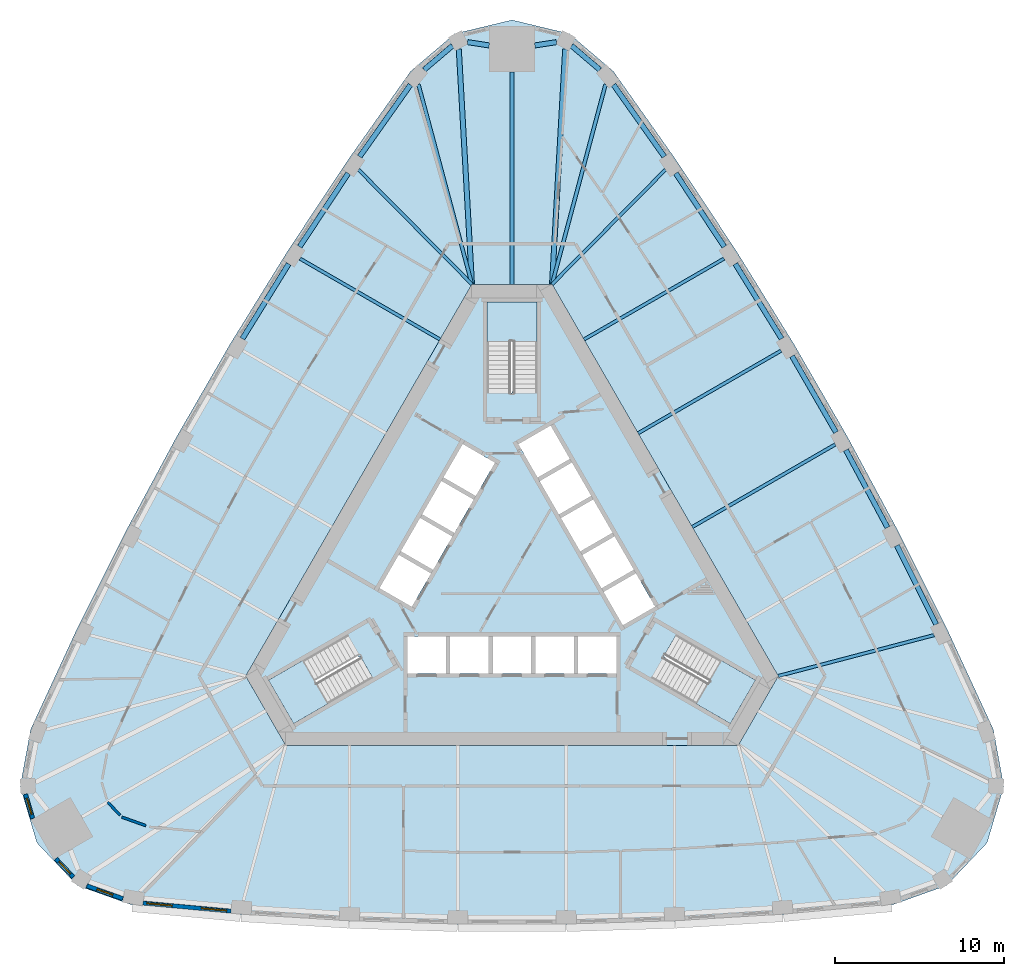
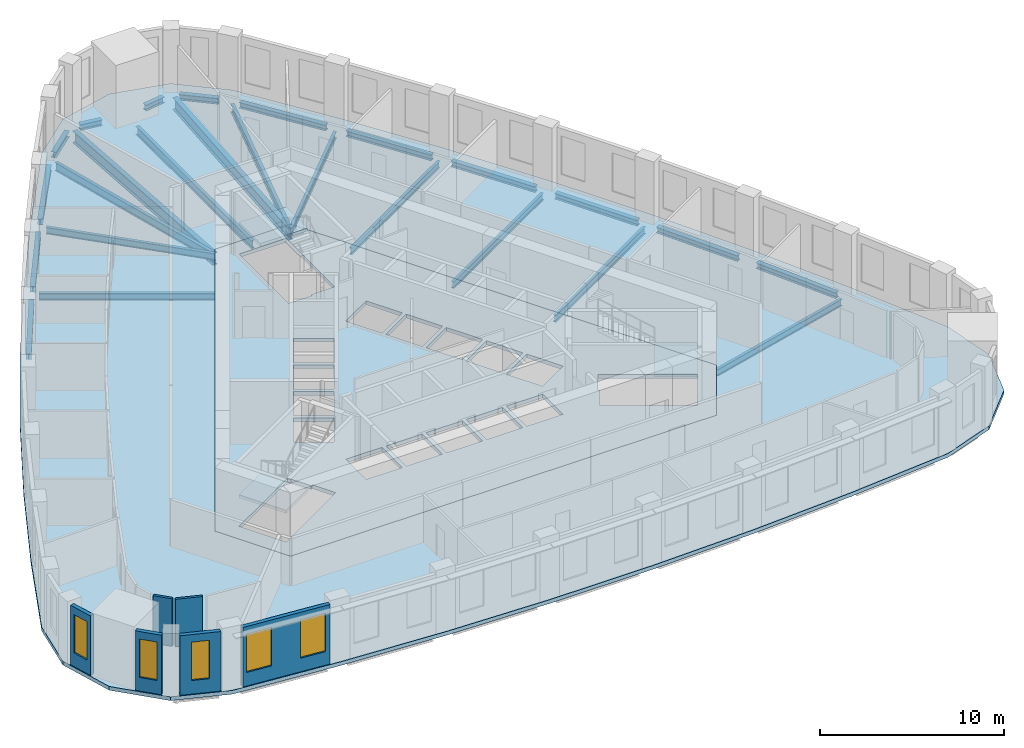
# One storey, part 2 of 11: 25 beams, 6 walls, 5 slabs, 5 windows, 5 openings, 3 elements without a shape of their own.
"""IFC4 building model written with IfcOpenShell, lengths in metres."""

from ifc_helpers import new_model, si_unit, direction, frame, frame_2d, origin, origin_2d, place, context, subcontext, project, spatial, polyline, rectangle, i_section, outline, extrude, material, layer, layer_set, material_profile, profile_set, type_object, element, fill, aggregate, save


model = new_model("IFC4")

# Units and contexts
model_context = context("Model", 3, precision=1e-05, world=origin(), true_north=direction((0.0, 1.0)))
body_context = subcontext(model_context, "Body", "Model", "MODEL_VIEW")
ifc_project = project(units=[si_unit("LENGTHUNIT", "METRE"), si_unit("AREAUNIT", "SQUARE_METRE"), si_unit("VOLUMEUNIT", "CUBIC_METRE"), si_unit("PLANEANGLEUNIT", "RADIAN"), si_unit("MASSUNIT", "GRAM", prefix="KILO")], contexts=[model_context])

# Site, building, storey
site_placement = place(None, origin())
site = spatial("IfcSite", under=ifc_project, at=site_placement, CompositionType="ELEMENT")
building_placement = place(site_placement, origin())
building = spatial("IfcBuilding", under=site, at=building_placement, Name="Mestral Congress Tower", CompositionType="ELEMENT")
storey_placement = place(building_placement, frame((0.0, 0.0, 175.199951171875)))
storey = spatial("IfcBuildingStorey", under=building, at=storey_placement, Name="L41", CompositionType="ELEMENT", Elevation=175.199951171875)

# Beams
ifc_material_1 = material(Name="Steel S355", Category="steel")
ifc_material_profile_1 = material_profile(ifc_material_1, i_section(OverallWidth=0.300048828125, OverallDepth=0.800048828125, WebThickness=0.017578125, FlangeThickness=0.032958984375, FilletRadius=0.030029296875, at=origin_2d()), Name="HEB 800")
ifc_profile_set_1 = profile_set([ifc_material_profile_1], Name="Steel S355")
beam_type_1 = type_object("IfcBeamType", Name="Floor beam HEB 800 S355", PredefinedType="BEAM", material=ifc_profile_set_1)
for number, where, z_axis, x_axis, name in (
    (1, (3.143798828125, 30.703857421875, -0.64990234375), (-0.055769084972, -0.998443693536, 0.0), (0.998443693536, -0.055769084972, 0.0), "BM-L41-RB3-N1"),
    (2, (-3.143798828125, 30.703857421875, -0.64990234375), (0.055769084972, -0.998443693536, 0.0), (0.998443693536, 0.055769084972, 0.0), "BM-L41-RB3-N3"),
):
    element("IfcBeam", number, at=place(storey_placement, frame(where, z_axis=z_axis, x_axis=x_axis)), inside=storey, type_object=beam_type_1, Name=name, PredefinedType="BEAM", context=body_context, shape_type="SweptSolid", body=[
        extrude(i_section(OverallWidth=0.300048828125, OverallDepth=0.800048828125, WebThickness=0.017578125, FlangeThickness=0.032958984375, FilletRadius=0.030029296875, at=origin_2d()), origin(), (0.0, 0.0, 1.0), 13.925537109375),
    ])
ifc_material_profile_2 = material_profile(ifc_material_1, i_section(OverallWidth=0.18994140625, OverallDepth=0.449951171875, WebThickness=0.009521484375, FlangeThickness=0.0146484375, FilletRadius=0.02099609375, at=origin_2d()), Name="IPE 450")
ifc_profile_set_2 = profile_set([ifc_material_profile_2], Name="Steel S355")
beam_type_2 = type_object("IfcBeamType", Name="Floor beam IPE 450 S355", PredefinedType="BEAM", material=ifc_profile_set_2)
beam_1_placement = place(storey_placement, frame((24.938232421875, -3.93505859375, -0.474853515625), z_axis=(-0.967265999603, -0.253764627187, 0.0), x_axis=(0.253764627187, -0.967265999603, 0.0)))
element("IfcBeam", 3, at=beam_1_placement, inside=storey, type_object=beam_type_2, Name="BM-L41-RB3-E01", PredefinedType="BEAM", context=body_context, shape_type="SweptSolid", body=[
    extrude(i_section(OverallWidth=0.18994140625, OverallDepth=0.449951171875, WebThickness=0.009521484375, FlangeThickness=0.0146484375, FilletRadius=0.02099609375, at=origin_2d()), origin(), (0.0, 0.0, 1.0), 9.516845703125),
])
beam_2_placement = place(storey_placement, frame((19.100830078125, 7.332763671875, -0.474853515625), z_axis=(-0.866036015824, -0.499981618958, 0.0), x_axis=(0.499981618958, -0.866036015824, 0.0)))
element("IfcBeam", 4, at=beam_2_placement, inside=storey, type_object=beam_type_2, Name="BM-L41-RB3-E03", PredefinedType="BEAM", context=body_context, shape_type="SweptSolid", body=[
    extrude(i_section(OverallWidth=0.18994140625, OverallDepth=0.449951171875, WebThickness=0.009521484375, FlangeThickness=0.0146484375, FilletRadius=0.02099609375, at=origin_2d()), origin(), (0.0, 0.0, 1.0), 9.758056640625),
])
beam_3_placement = place(storey_placement, frame((15.90087890625, 12.875244140625, -0.474853515625), z_axis=(-0.866025182435, -0.500000383388, 0.0), x_axis=(0.500000383388, -0.866025182435, 0.0)))
element("IfcBeam", 5, at=beam_3_placement, inside=storey, type_object=beam_type_2, Name="BM-L41-RB3-E04", PredefinedType="BEAM", context=body_context, shape_type="SweptSolid", body=[
    extrude(i_section(OverallWidth=0.18994140625, OverallDepth=0.449951171875, WebThickness=0.009521484375, FlangeThickness=0.0146484375, FilletRadius=0.02099609375, at=origin_2d()), origin(), (0.0, 0.0, 1.0), 9.75830078125),
])
beam_4_placement = place(storey_placement, frame((12.532958984375, 18.317138671875, -0.474853515625), z_axis=(-0.866022320763, -0.500005339912, 0.0), x_axis=(0.500005339912, -0.866022320763, 0.0)))
element("IfcBeam", 6, at=beam_4_placement, inside=storey, type_object=beam_type_2, Name="BM-L41-RB3-E05", PredefinedType="BEAM", context=body_context, shape_type="SweptSolid", body=[
    extrude(i_section(OverallWidth=0.18994140625, OverallDepth=0.449951171875, WebThickness=0.009521484375, FlangeThickness=0.0146484375, FilletRadius=0.02099609375, at=origin_2d()), origin(), (0.0, 0.0, 1.0), 9.5625),
])
for number, where, z_axis, x_axis, name in (
    (7, (9.06103515625, 23.564697265625, -0.474853515625), (-0.703377189025, -0.710816804781, 0.0), (0.710816804781, -0.703377189025, 0.0), "BM-L41-RB3-E06"),
    (8, (-9.06103515625, 23.564697265625, -0.474853515625), (0.703377189025, -0.710816804781, 0.0), (0.710816804781, 0.703377189025, 0.0), "BM-L41-RB3-W01"),
):
    element("IfcBeam", number, at=place(storey_placement, frame(where, z_axis=z_axis, x_axis=x_axis)), inside=storey, type_object=beam_type_2, Name=name, PredefinedType="BEAM", context=body_context, shape_type="SweptSolid", body=[
        extrude(i_section(OverallWidth=0.18994140625, OverallDepth=0.449951171875, WebThickness=0.009521484375, FlangeThickness=0.0146484375, FilletRadius=0.02099609375, at=origin_2d()), origin(), (0.0, 0.0, 1.0), 9.516845703125),
    ])
beam_5_placement = place(storey_placement, frame((-12.532958984375, 18.317138671875, -0.474853515625), z_axis=(0.866022320763, -0.500005339912, 0.0), x_axis=(0.500005339912, 0.866022320763, 0.0)))
element("IfcBeam", 9, at=beam_5_placement, inside=storey, type_object=beam_type_2, Name="BM-L41-RB3-W02", PredefinedType="BEAM", context=body_context, shape_type="SweptSolid", body=[
    extrude(i_section(OverallWidth=0.18994140625, OverallDepth=0.449951171875, WebThickness=0.009521484375, FlangeThickness=0.0146484375, FilletRadius=0.02099609375, at=origin_2d()), origin(), (0.0, 0.0, 1.0), 9.5625),
])
ifc_material_profile_3 = material_profile(ifc_material_1, i_section(OverallWidth=0.2099609375, OverallDepth=0.550048828125, WebThickness=0.010986328125, FlangeThickness=0.01708984375, FilletRadius=0.02392578125, at=origin_2d()), Name="IPE 550")
ifc_profile_set_3 = profile_set([ifc_material_profile_3], Name="Steel S355")
beam_type_3 = type_object("IfcBeamType", Name="Floor beam IPE 550 S355", PredefinedType="BEAM", material=ifc_profile_set_3)
beam_6_placement = place(storey_placement, frame((5.5283203125, 28.609375, -0.52490234375), z_axis=(-0.258577363905, -0.965990552167, 0.0), x_axis=(0.965990552167, -0.258577363905, 0.0)))
element("IfcBeam", 10, at=beam_6_placement, inside=storey, type_object=beam_type_3, Name="BM-L41-RB3-E07", PredefinedType="BEAM", context=body_context, shape_type="SweptSolid", body=[
    extrude(i_section(OverallWidth=0.2099609375, OverallDepth=0.550048828125, WebThickness=0.010986328125, FlangeThickness=0.01708984375, FilletRadius=0.02392578125, at=origin_2d()), origin(), (0.0, 0.0, 1.0), 12.22509765625),
])
beam_7_placement = place(storey_placement, frame((0.0, 29.354248046875, -0.52490234375), z_axis=(0.0, -1.0, 0.0), x_axis=(1.0, 0.0, 0.0)))
element("IfcBeam", 11, at=beam_7_placement, inside=storey, type_object=beam_type_3, Name="BM-L41-RB3-N", PredefinedType="BEAM", context=body_context, shape_type="SweptSolid", body=[
    extrude(i_section(OverallWidth=0.2099609375, OverallDepth=0.550048828125, WebThickness=0.010986328125, FlangeThickness=0.01708984375, FilletRadius=0.02392578125, at=origin_2d()), origin(), (0.0, 0.0, 1.0), 12.55419921875),
])
beam_8_placement = place(storey_placement, frame((-5.5283203125, 28.609375, -0.52490234375), z_axis=(0.258577363905, -0.965990552167, 0.0), x_axis=(0.965990552167, 0.258577363905, 0.0)))
element("IfcBeam", 12, at=beam_8_placement, inside=storey, type_object=beam_type_3, Name="BM-L41-RB3-W00", PredefinedType="BEAM", context=body_context, shape_type="SweptSolid", body=[
    extrude(i_section(OverallWidth=0.2099609375, OverallDepth=0.550048828125, WebThickness=0.010986328125, FlangeThickness=0.01708984375, FilletRadius=0.02392578125, at=origin_2d()), origin(), (0.0, 0.0, 1.0), 12.22509765625),
])
ifc_material_profile_4 = material_profile(ifc_material_1, i_section(OverallWidth=0.300048828125, OverallDepth=0.389892578125, WebThickness=0.010986328125, FlangeThickness=0.01904296875, FilletRadius=0.027099609375, at=origin_2d()), Name="HEA 400")
ifc_profile_set_4 = profile_set([ifc_material_profile_4], Name="Steel S355")
beam_type_4 = type_object("IfcBeamType", Name="Spandrel beam HEA 400 S355", PredefinedType="BEAM", material=ifc_profile_set_4)
beam_9_placement = place(storey_placement, frame((25.064453125, -3.294677734375, -0.445068359375), z_axis=(-0.446255467462, 0.894905613884, 0.0), x_axis=(-0.894905613884, -0.446255467462, 0.0)))
element("IfcBeam", 13, at=beam_9_placement, inside=storey, type_object=beam_type_4, Name="SP-L41-SB3-E01", PredefinedType="BEAM", context=body_context, shape_type="SweptSolid", body=[
    extrude(i_section(OverallWidth=0.300048828125, OverallDepth=0.389892578125, WebThickness=0.010986328125, FlangeThickness=0.01904296875, FilletRadius=0.027099609375, at=origin_2d()), origin(), (0.0, 0.0, 1.0), 5.199462890625),
])
for number, where, z_axis, x_axis, name in (
    (14, (22.1923828125, 2.424072265625, -0.445068359375), (-0.473332458078, 0.880883865291, 0.0), (-0.880883865291, -0.473332458078, 0.0), "SP-L41-SB3-E02"),
    (15, (19.147216796875, 8.052490234375, -0.445068359375), (-0.499992051641, 0.866029992723, 0.0), (-0.866029992723, -0.499992051641, 0.0), "SP-L41-SB3-E03"),
):
    element("IfcBeam", number, at=place(storey_placement, frame(where, z_axis=z_axis, x_axis=x_axis)), inside=storey, type_object=beam_type_4, Name=name, PredefinedType="BEAM", context=body_context, shape_type="SweptSolid", body=[
        extrude(i_section(OverallWidth=0.300048828125, OverallDepth=0.389892578125, WebThickness=0.010986328125, FlangeThickness=0.01904296875, FilletRadius=0.027099609375, at=origin_2d()), origin(), (0.0, 0.0, 1.0), 5.19970703125),
    ])
for number, where, z_axis, x_axis, name in (
    (16, (15.931640625, 13.585693359375, -0.445068359375), (-0.526220441006, 0.8503481919, 0.0), (-0.8503481919, -0.526220441006, 0.0), "SP-L41-SB3-E04"),
    (17, (12.548583984375, 19.017822265625, -0.445068359375), (-0.551901475275, 0.833909324561, 0.0), (-0.833909324561, -0.551901475275, 0.0), "SP-L41-SB3-E05"),
):
    element("IfcBeam", number, at=place(storey_placement, frame(where, z_axis=z_axis, x_axis=x_axis)), inside=storey, type_object=beam_type_4, Name=name, PredefinedType="BEAM", context=body_context, shape_type="SweptSolid", body=[
        extrude(i_section(OverallWidth=0.300048828125, OverallDepth=0.389892578125, WebThickness=0.010986328125, FlangeThickness=0.01904296875, FilletRadius=0.027099609375, at=origin_2d()), origin(), (0.0, 0.0, 1.0), 5.199462890625),
    ])
beam_10_placement = place(storey_placement, frame((9.00146484375, 24.34423828125, -0.445068359375), z_axis=(-0.577107284947, 0.816668342512, 0.0), x_axis=(-0.816668342512, -0.577107284947, 0.0)))
element("IfcBeam", 18, at=beam_10_placement, inside=storey, type_object=beam_type_4, Name="SP-L41-SB3-E06", PredefinedType="BEAM", context=body_context, shape_type="SweptSolid", body=[
    extrude(i_section(OverallWidth=0.300048828125, OverallDepth=0.389892578125, WebThickness=0.010986328125, FlangeThickness=0.01904296875, FilletRadius=0.027099609375, at=origin_2d()), origin(), (0.0, 0.0, 1.0), 5.197509765625),
])
beam_11_placement = place(storey_placement, frame((5.191162109375, 29.47509765625, -0.445068359375), z_axis=(-0.761471479234, 0.648198415852, 0.0), x_axis=(-0.648198415852, -0.761471479234, 0.0)))
element("IfcBeam", 19, at=beam_11_placement, inside=storey, type_object=beam_type_4, Name="SP-L41-SB3-E07", PredefinedType="BEAM", context=body_context, shape_type="SweptSolid", body=[
    extrude(i_section(OverallWidth=0.300048828125, OverallDepth=0.389892578125, WebThickness=0.010986328125, FlangeThickness=0.01904296875, FilletRadius=0.027099609375, at=origin_2d()), origin(), (0.0, 0.0, 1.0), 2.189697265625),
])
for number, where, z_axis, x_axis, name in (
    (20, (2.62353515625, 31.10986328125, -0.445068359375), (-0.988242111203, -0.152897121116, 0.0), (0.152897121116, -0.988242111203, 0.0), "SP-L41-SB3-N1"),
    (21, (-1.35009765625, 30.912841796875, -0.445068359375), (-0.988242111203, 0.152897121116, 0.0), (-0.152897121116, -0.988242111203, 0.0), "SP-L41-SB3-N"),
):
    element("IfcBeam", number, at=place(storey_placement, frame(where, z_axis=z_axis, x_axis=x_axis)), inside=storey, type_object=beam_type_4, Name=name, PredefinedType="BEAM", context=body_context, shape_type="SweptSolid", body=[
        extrude(i_section(OverallWidth=0.300048828125, OverallDepth=0.389892578125, WebThickness=0.010986328125, FlangeThickness=0.01904296875, FilletRadius=0.027099609375, at=origin_2d()), origin(), (0.0, 0.0, 1.0), 1.28857421875),
    ])
beam_12_placement = place(storey_placement, frame((-3.523681640625, 30.89453125, -0.445068359375), z_axis=(-0.761471479234, -0.648198415852, 0.0), x_axis=(0.648198415852, -0.761471479234, 0.0)))
element("IfcBeam", 22, at=beam_12_placement, inside=storey, type_object=beam_type_4, Name="SP-L41-SB3-N3", PredefinedType="BEAM", context=body_context, shape_type="SweptSolid", body=[
    extrude(i_section(OverallWidth=0.300048828125, OverallDepth=0.389892578125, WebThickness=0.010986328125, FlangeThickness=0.01904296875, FilletRadius=0.027099609375, at=origin_2d()), origin(), (0.0, 0.0, 1.0), 2.189697265625),
])
beam_13_placement = place(storey_placement, frame((-6.001953125, 28.5888671875, -0.445068359375), z_axis=(-0.577107284947, -0.816668342512, 0.0), x_axis=(0.816668342512, -0.577107284947, 0.0)))
element("IfcBeam", 23, at=beam_13_placement, inside=storey, type_object=beam_type_4, Name="SP-L41-SB3-W00", PredefinedType="BEAM", context=body_context, shape_type="SweptSolid", body=[
    extrude(i_section(OverallWidth=0.300048828125, OverallDepth=0.389892578125, WebThickness=0.010986328125, FlangeThickness=0.01904296875, FilletRadius=0.027099609375, at=origin_2d()), origin(), (0.0, 0.0, 1.0), 5.197509765625),
])
for number, where, z_axis, x_axis, name in (
    (24, (-9.678955078125, 23.353759765625, -0.445068359375), (-0.551901475275, -0.833909324561, 0.0), (0.833909324561, -0.551901475275, 0.0), "SP-L41-SB3-W01"),
    (25, (-13.195556640625, 18.007080078125, -0.445068359375), (-0.526220441006, -0.8503481919, 0.0), (0.8503481919, -0.526220441006, 0.0), "SP-L41-SB3-W02"),
):
    element("IfcBeam", number, at=place(storey_placement, frame(where, z_axis=z_axis, x_axis=x_axis)), inside=storey, type_object=beam_type_4, Name=name, PredefinedType="BEAM", context=body_context, shape_type="SweptSolid", body=[
        extrude(i_section(OverallWidth=0.300048828125, OverallDepth=0.389892578125, WebThickness=0.010986328125, FlangeThickness=0.01904296875, FilletRadius=0.027099609375, at=origin_2d()), origin(), (0.0, 0.0, 1.0), 5.199462890625),
    ])

# Slabs
ifc_material_2 = material(Name="Concrete C35/45", Category="concrete")
ifc_layer_1 = layer(ifc_material_2, 0.25)
ifc_layer_set_1 = layer_set([ifc_layer_1], Name="Concrete C35/45")
slab_type_1 = type_object("IfcSlabType", Name="Composite floor slab 250", PredefinedType="FLOOR", material=ifc_layer_set_1)
placement_1 = place(storey_placement, frame((0.0, 0.0, -0.25)))
element("IfcSlab", 26, at=placement_1, inside=storey, type_object=slab_type_1, Name="SL-L41", PredefinedType="FLOOR", context=body_context, shape_type="SweptSolid", body=[
    extrude(outline(polyline([(-22.455078125, -19.880126953125), (-25.68212890625, -18.731689453125), (-28.073974609375, -16.20849609375), (-29.06298828125, -12.87548828125), (-28.444091796875, -9.506591796875), (-25.73779296875, -3.63720703125), (-22.8759765625, 2.1025390625), (-19.84033203125, 7.751953125), (-16.633544921875, 13.30615234375), (-13.2587890625, 18.760009765625), (-9.71923828125, 24.1083984375), (-5.9892578125, 29.38671875), (-3.381103515625, 31.607177734375), (0.0, 32.4169921875), (3.381103515625, 31.607177734375), (5.9892578125, 29.38671875), (9.71923828125, 24.1083984375), (13.2587890625, 18.760009765625), (16.633544921875, 13.30615234375), (19.84033203125, 7.751953125), (22.8759765625, 2.1025390625), (25.73779296875, -3.63720703125), (28.444091796875, -9.506591796875), (29.06298828125, -12.87548828125), (28.073974609375, -16.20849609375), (25.68212890625, -18.731689453125), (22.455078125, -19.880126953125), (16.018798828125, -20.47119140625), (9.6171875, -20.862548828125), (3.206787109375, -21.05810546875), (-3.206787109375, -21.05810546875), (-9.6171875, -20.862548828125), (-16.018798828125, -20.47119140625), (-22.455078125, -19.880126953125)]), holes=[polyline([(-2.3671875, 16.800048828125), (-15.73291015625, -6.35009765625), (-13.36572265625, -10.449951171875), (13.36572265625, -10.449951171875), (15.73291015625, -6.35009765625), (2.3671875, 16.800048828125), (-2.3671875, 16.800048828125)])]), origin(), (0.0, 0.0, 1.0), 0.25),
])
ifc_material_3 = material(Name="Concrete C60/75", Category="concrete")
ifc_layer_2 = layer(ifc_material_3, 0.25)
ifc_layer_set_2 = layer_set([ifc_layer_2], Name="Concrete C60/75")
slab_type_2 = type_object("IfcSlabType", Name="Core floor slab RC 250", PredefinedType="FLOOR", material=ifc_layer_set_2)
element("IfcSlab", 27, at=placement_1, inside=storey, type_object=slab_type_2, Name="L41 core floor", PredefinedType="FLOOR", context=body_context, shape_type="SweptSolid", body=[
    extrude(outline(polyline([(13.36572265625, -10.449951171875), (-13.36572265625, -10.449951171875), (-15.73291015625, -6.35009765625), (-2.3671875, 16.800048828125), (2.3671875, 16.800048828125), (15.73291015625, -6.35009765625), (13.36572265625, -10.449951171875)]), holes=[polyline([(-9.8046875, -3.95751953125), (-14.37744140625, -6.59765625), (-12.90234375, -9.15234375), (-8.234619140625, -6.45751953125), (-8.971923828125, -5.179931640625), (-9.0673828125, -5.235107421875), (-9.8046875, -3.95751953125)]), polyline([(-3.905029296875, -4.0), (-6.175048828125, -4.0), (-6.175048828125, -6.199951171875), (-3.905029296875, -6.199951171875), (-3.905029296875, -4.0)]), polyline([(-1.385009765625, -4.0), (-3.655029296875, -4.0), (-3.655029296875, -6.199951171875), (-1.385009765625, -6.199951171875), (-1.385009765625, -4.0)]), polyline([(1.135009765625, -4.0), (-1.135009765625, -4.0), (-1.135009765625, -6.199951171875), (1.135009765625, -6.199951171875), (1.135009765625, -4.0)]), polyline([(-5.921630859375, -2.256591796875), (-4.78662109375, -0.29052734375), (-6.69189453125, 0.809326171875), (-7.826904296875, -1.156494140625), (-5.921630859375, -2.256591796875)]), polyline([(-4.66162109375, -0.07421875), (-3.526611328125, 1.8916015625), (-5.431884765625, 2.99169921875), (-6.56689453125, 1.02587890625), (-4.66162109375, -0.07421875)]), polyline([(-3.401611328125, 2.1083984375), (-2.2666015625, 4.07421875), (-4.171875, 5.174072265625), (-5.306884765625, 3.208251953125), (-3.401611328125, 2.1083984375)]), polyline([(-2.1416015625, 4.29052734375), (-1.006591796875, 6.256591796875), (-2.911865234375, 7.3564453125), (-4.046875, 5.390625), (-2.1416015625, 4.29052734375)]), polyline([(1.47509765625, 10.469970703125), (1.47509765625, 15.75), (-1.47509765625, 15.75), (-1.47509765625, 10.360107421875), (0.0, 10.360107421875), (0.0, 10.469970703125), (1.47509765625, 10.469970703125)]), polyline([(8.329833984375, -6.512451171875), (12.90234375, -9.15234375), (14.37744140625, -6.59765625), (9.70947265625, -3.902587890625), (8.971923828125, -5.179931640625), (9.0673828125, -5.235107421875), (8.329833984375, -6.512451171875)]), polyline([(3.655029296875, -4.0), (1.385009765625, -4.0), (1.385009765625, -6.199951171875), (3.655029296875, -6.199951171875), (3.655029296875, -4.0)]), polyline([(6.175048828125, -4.0), (3.905029296875, -4.0), (3.905029296875, -6.199951171875), (6.175048828125, -6.199951171875), (6.175048828125, -4.0)]), polyline([(5.41650390625, -1.3818359375), (6.551513671875, -3.34765625), (8.456787109375, -2.247802734375), (7.322021484375, -0.28173828125), (5.41650390625, -1.3818359375)]), polyline([(4.156494140625, 0.800537109375), (5.29150390625, -1.165283203125), (7.197021484375, -0.065185546875), (6.06201171875, 1.900634765625), (4.156494140625, 0.800537109375)]), polyline([(2.896484375, 2.98291015625), (4.031494140625, 1.01708984375), (5.93701171875, 2.1171875), (4.802001953125, 4.0830078125), (2.896484375, 2.98291015625)]), polyline([(3.5419921875, 6.265380859375), (1.63671875, 5.165283203125), (2.771484375, 3.199462890625), (4.677001953125, 4.29931640625), (3.5419921875, 6.265380859375)]), polyline([(2.281982421875, 8.44775390625), (0.376708984375, 7.34765625), (1.51171875, 5.3818359375), (3.4169921875, 6.481689453125), (2.281982421875, 8.44775390625)])]), origin(), (0.0, 0.0, 1.0), 0.25),
])

# Stair, slab
stair_type = type_object("IfcStairType", Name="Exit stair 1400", PredefinedType="HALF_TURN_STAIR", material=ifc_material_3)
placement_2 = place(storey_placement, origin())
stair_1 = element("IfcStair", 28, at=placement_2, inside=storey, type_object=stair_type, Name="L41 ST1", PredefinedType="HALF_TURN_STAIR")
ifc_layer_3 = layer(ifc_material_3, 0.199951171875)
ifc_layer_set_3 = layer_set([ifc_layer_3], Name="Concrete C60/75")
slab_type_3 = type_object("IfcSlabType", Name="Exit stair landing 200", PredefinedType="LANDING", material=ifc_layer_set_3)
placement_3 = place(storey_placement, frame((0.0, 0.0, 1.900146484375)))
slab_3 = element("IfcSlab", 29, at=placement_3, type_object=slab_type_3, Name="ST1 landing 1", PredefinedType="LANDING", context=body_context, shape_type="SweptSolid", body=[
    extrude(outline(polyline([(10.879638671875, -7.99609375), (12.364501953125, -5.424072265625), (14.39111328125, -6.593994140625), (12.906005859375, -9.166015625), (10.879638671875, -7.99609375)])), origin(), (0.0, 0.0, 1.0), 0.199951171875),
])
aggregate(stair_1, [slab_3])

stair_2 = element("IfcStair", 30, at=placement_2, inside=storey, type_object=stair_type, Name="L41 ST2", PredefinedType="HALF_TURN_STAIR")
slab_4 = element("IfcSlab", 31, at=placement_3, type_object=slab_type_3, Name="ST2 landing 1", PredefinedType="LANDING", context=body_context, shape_type="SweptSolid", body=[
    extrude(outline(polyline([(1.485107421875, 13.419921875), (-1.485107421875, 13.419921875), (-1.485107421875, 15.760009765625), (1.485107421875, 15.760009765625), (1.485107421875, 13.419921875)])), origin(), (0.0, 0.0, 1.0), 0.199951171875),
])
aggregate(stair_2, [slab_4])

stair_3 = element("IfcStair", 32, at=placement_2, inside=storey, type_object=stair_type, Name="L41 ST3", PredefinedType="HALF_TURN_STAIR")
slab_5 = element("IfcSlab", 33, at=placement_3, type_object=slab_type_3, Name="ST3 landing 1", PredefinedType="LANDING", context=body_context, shape_type="SweptSolid", body=[
    extrude(outline(polyline([(-12.364501953125, -5.424072265625), (-10.879638671875, -7.99609375), (-12.906005859375, -9.166015625), (-14.39111328125, -6.593994140625), (-12.364501953125, -5.424072265625)])), origin(), (0.0, 0.0, 1.0), 0.199951171875),
])
aggregate(stair_3, [slab_5])

# Wall, openings, windows
ifc_material_4 = material(Name="Precast concrete C40/50 with limestone facing", Category="masonry")
ifc_layer_4 = layer(ifc_material_4, 0.239990234375)
ifc_layer_set_4 = layer_set([ifc_layer_4], Name="Precast concrete C40/50 with limestone facing")
wall_type_1 = type_object("IfcWallType", Name="Facade stone wall 240", PredefinedType="SOLIDWALL", material=ifc_layer_set_4)
wall_1_placement = place(storey_placement, frame((-21.797119140625, -19.769775390625, 0.0), z_axis=(0.0, 0.0, 1.0), x_axis=(0.995808712151, -0.091460422067, 0.0)))
wall_1 = element("IfcWall", 34, at=wall_1_placement, inside=storey, type_object=wall_type_1, Name="Facade wall F0-00", PredefinedType="SOLIDWALL", context=body_context, shape_type="SweptSolid", body=[
    extrude(rectangle(XDim=5.213134765625, YDim=0.239990234375, at=frame_2d((2.6064453125, 0.0))), origin(), (0.0, 0.0, 1.0), 3.949951171875),
])
opening_1_placement = place(wall_1_placement, frame((0.220947265625, 0.0, 0.89990234375)))
opening_1 = element("IfcOpeningElement", 35, at=opening_1_placement, cuts=wall_1, Name="Opening W4", PredefinedType="OPENING", context=body_context, shape_type="SweptSolid", body=[
    extrude(rectangle(XDim=1.5, YDim=2.550048828125, at=frame_2d((0.75, 1.27490234375))), frame((0.0, 0.1298828125, 0.0), z_axis=(0.0, -1.0, 0.0), x_axis=(1.0, 0.0, 0.0)), (0.0, 0.0, 1.0), 0.260009765625),
])
opening_2_placement = place(wall_1_placement, frame((3.452392578125, 0.0, 0.89990234375)))
opening_2 = element("IfcOpeningElement", 36, at=opening_2_placement, cuts=wall_1, Name="Opening W4", PredefinedType="OPENING", context=body_context, shape_type="SweptSolid", body=[
    extrude(rectangle(XDim=1.5, YDim=2.550048828125, at=frame_2d((0.75, 1.27490234375))), frame((0.0, 0.1298828125, 0.0), z_axis=(0.0, -1.0, 0.0), x_axis=(1.0, 0.0, 0.0)), (0.0, 0.0, 1.0), 0.260009765625),
])
ifc_material_5 = material(Name="Clear low-emissivity double glazing", Category="glass")
window_type_1 = type_object("IfcWindowType", Name="Facade punched window 1500 x 2550 sill 900", PartitioningType="SINGLE_PANEL", PredefinedType="WINDOW", material=ifc_material_5)
window_1_placement = place(opening_1_placement, origin())
window_1 = element("IfcWindow", 37, at=window_1_placement, inside=storey, type_object=window_type_1, Name="Window F0-00a", OverallHeight=2.550048828125, OverallWidth=1.5, PartitioningType="SINGLE_PANEL", PredefinedType="WINDOW", context=body_context, shape_type="SweptSolid", body=[
    extrude(rectangle(XDim=1.5, YDim=2.550048828125, at=frame_2d((0.75, 1.27490234375))), frame((0.0, 0.0400390625, 0.0), z_axis=(0.0, -1.0, 0.0), x_axis=(1.0, 0.0, 0.0)), (0.0, 0.0, 1.0), 0.06005859375),
])
fill(opening_1, window_1)
window_2_placement = place(opening_2_placement, origin())
window_2 = element("IfcWindow", 38, at=window_2_placement, inside=storey, type_object=window_type_1, Name="Window F0-00b", OverallHeight=2.550048828125, OverallWidth=1.5, PartitioningType="SINGLE_PANEL", PredefinedType="WINDOW", context=body_context, shape_type="SweptSolid", body=[
    extrude(rectangle(XDim=1.5, YDim=2.550048828125, at=frame_2d((0.75, 1.27490234375))), frame((0.0, 0.0400390625, 0.0), z_axis=(0.0, -1.0, 0.0), x_axis=(1.0, 0.0, 0.0)), (0.0, 0.0, 1.0), 0.06005859375),
])
fill(opening_2, window_2)

# Wall, opening, window
wall_2_placement = place(storey_placement, frame((-28.747802734375, -13.340087890625, 0.0), z_axis=(0.0, 0.0, 1.0), x_axis=(0.284413721403, -0.958701640281, 0.0)))
wall_2 = element("IfcWall", 39, at=wall_2_placement, inside=storey, type_object=wall_type_1, Name="Facade wall K2-1", PredefinedType="SOLIDWALL", context=body_context, shape_type="SweptSolid", body=[
    extrude(rectangle(XDim=1.481689453125, YDim=0.239990234375, at=frame_2d((0.74072265625, 0.0))), origin(), (0.0, 0.0, 1.0), 3.949951171875),
])
opening_3_placement = place(wall_2_placement, frame((0.24072265625, 0.0, 0.89990234375)))
opening_3 = element("IfcOpeningElement", 40, at=opening_3_placement, cuts=wall_2, Name="Opening W5", PredefinedType="OPENING", context=body_context, shape_type="SweptSolid", body=[
    extrude(rectangle(XDim=1.0, YDim=2.550048828125, at=frame_2d((0.5, 1.27490234375))), frame((0.0, 0.1298828125, 0.0), z_axis=(0.0, -1.0, 0.0), x_axis=(1.0, 0.0, 0.0)), (0.0, 0.0, 1.0), 0.260009765625),
])
window_type_2 = type_object("IfcWindowType", Name="Facade punched window 1000 x 2550 sill 900", PartitioningType="SINGLE_PANEL", PredefinedType="WINDOW", material=ifc_material_5)
window_3_placement = place(opening_3_placement, origin())
window_3 = element("IfcWindow", 41, at=window_3_placement, inside=storey, type_object=window_type_2, Name="Window K2-1", OverallHeight=2.550048828125, OverallWidth=1.0, PartitioningType="SINGLE_PANEL", PredefinedType="WINDOW", context=body_context, shape_type="SweptSolid", body=[
    extrude(rectangle(XDim=1.0, YDim=2.550048828125, at=frame_2d((0.5, 1.27490234375))), frame((0.0, 0.0400390625, 0.0), z_axis=(0.0, -1.0, 0.0), x_axis=(1.0, 0.0, 0.0)), (0.0, 0.0, 1.0), 0.06005859375),
])
fill(opening_3, window_3)

wall_3_placement = place(storey_placement, frame((-26.946044921875, -17.151123046875, 0.0), z_axis=(0.0, 0.0, 1.0), x_axis=(0.687986858937, -0.725723144133, 0.0)))
wall_3 = element("IfcWall", 42, at=wall_3_placement, inside=storey, type_object=wall_type_1, Name="Facade wall K2-2", PredefinedType="SOLIDWALL", context=body_context, shape_type="SweptSolid", body=[
    extrude(rectangle(XDim=1.4814453125, YDim=0.239990234375, at=frame_2d((0.74072265625, 0.0))), origin(), (0.0, 0.0, 1.0), 3.949951171875),
])
opening_4_placement = place(wall_3_placement, frame((0.24072265625, 0.0, 0.89990234375)))
opening_4 = element("IfcOpeningElement", 43, at=opening_4_placement, cuts=wall_3, Name="Opening W5", PredefinedType="OPENING", context=body_context, shape_type="SweptSolid", body=[
    extrude(rectangle(XDim=1.0, YDim=2.550048828125, at=frame_2d((0.5, 1.27490234375))), frame((0.0, 0.1298828125, 0.0), z_axis=(0.0, -1.0, 0.0), x_axis=(1.0, 0.0, 0.0)), (0.0, 0.0, 1.0), 0.260009765625),
])
window_4_placement = place(opening_4_placement, origin())
window_4 = element("IfcWindow", 44, at=window_4_placement, inside=storey, type_object=window_type_2, Name="Window K2-2", OverallHeight=2.550048828125, OverallWidth=1.0, PartitioningType="SINGLE_PANEL", PredefinedType="WINDOW", context=body_context, shape_type="SweptSolid", body=[
    extrude(rectangle(XDim=1.0, YDim=2.550048828125, at=frame_2d((0.5, 1.27490234375))), frame((0.0, 0.0400390625, 0.0), z_axis=(0.0, -1.0, 0.0), x_axis=(1.0, 0.0, 0.0)), (0.0, 0.0, 1.0), 0.06005859375),
])
fill(opening_4, window_4)

wall_4_placement = place(storey_placement, frame((-25.12109375, -18.750732421875, 0.0), z_axis=(0.0, 0.0, 1.0), x_axis=(0.942099727267, -0.335332825539, 0.0)))
wall_4 = element("IfcWall", 45, at=wall_4_placement, inside=storey, type_object=wall_type_1, Name="Facade wall K2-3", PredefinedType="SOLIDWALL", context=body_context, shape_type="SweptSolid", body=[
    extrude(rectangle(XDim=2.25048828125, YDim=0.239990234375, at=frame_2d((1.125244140625, 0.0))), origin(), (0.0, 0.0, 1.0), 3.949951171875),
])
opening_5_placement = place(wall_4_placement, frame((0.625244140625, 0.0, 0.89990234375)))
opening_5 = element("IfcOpeningElement", 46, at=opening_5_placement, cuts=wall_4, Name="Opening W5", PredefinedType="OPENING", context=body_context, shape_type="SweptSolid", body=[
    extrude(rectangle(XDim=1.0, YDim=2.550048828125, at=frame_2d((0.5, 1.27490234375))), frame((0.0, 0.1298828125, 0.0), z_axis=(0.0, -1.0, 0.0), x_axis=(1.0, 0.0, 0.0)), (0.0, 0.0, 1.0), 0.260009765625),
])
window_5_placement = place(opening_5_placement, origin())
window_5 = element("IfcWindow", 47, at=window_5_placement, inside=storey, type_object=window_type_2, Name="Window K2-3", OverallHeight=2.550048828125, OverallWidth=1.0, PartitioningType="SINGLE_PANEL", PredefinedType="WINDOW", context=body_context, shape_type="SweptSolid", body=[
    extrude(rectangle(XDim=1.0, YDim=2.550048828125, at=frame_2d((0.5, 1.27490234375))), frame((0.0, 0.0400390625, 0.0), z_axis=(0.0, -1.0, 0.0), x_axis=(1.0, 0.0, 0.0)), (0.0, 0.0, 1.0), 0.06005859375),
])
fill(opening_5, window_5)

# Walls
ifc_material_6 = material(Name="Plasterboard partition on steel studs", Category="steel")
ifc_layer_5 = layer(ifc_material_6, 0.14990234375)
ifc_layer_set_5 = layer_set([ifc_layer_5], Name="Plasterboard partition on steel studs")
wall_type_2 = type_object("IfcWallType", Name="Office partition 150", PredefinedType="PARTITIONING", material=ifc_layer_set_5)
wall_5_placement = place(storey_placement, frame((-21.640380859375, -15.19189453125, 0.0), z_axis=(0.0, 0.0, 1.0), x_axis=(-0.942099140138, 0.335334475041, 0.0)))
element("IfcWall", 48, at=wall_5_placement, inside=storey, type_object=wall_type_2, Name="Partition", PredefinedType="PARTITIONING", context=body_context, shape_type="SweptSolid", body=[
    extrude(rectangle(XDim=1.49755859375, YDim=0.14990234375, at=frame_2d((0.748779296875, 0.0))), origin(), (0.0, 0.0, 1.0), 3.150146484375),
])
wall_6_placement = place(storey_placement, frame((-23.1650390625, -14.569580078125, 0.0), z_axis=(0.0, 0.0, 1.0), x_axis=(-0.688049940621, 0.725663337375, 0.0)))
element("IfcWall", 49, at=wall_6_placement, inside=storey, type_object=wall_type_2, Name="Partition", PredefinedType="PARTITIONING", context=body_context, shape_type="SweptSolid", body=[
    extrude(rectangle(XDim=1.064453125, YDim=0.14990234375, at=frame_2d((0.5322265625, 0.0))), origin(), (0.0, 0.0, 1.0), 3.150146484375),
])

save(model, "model.ifc")
